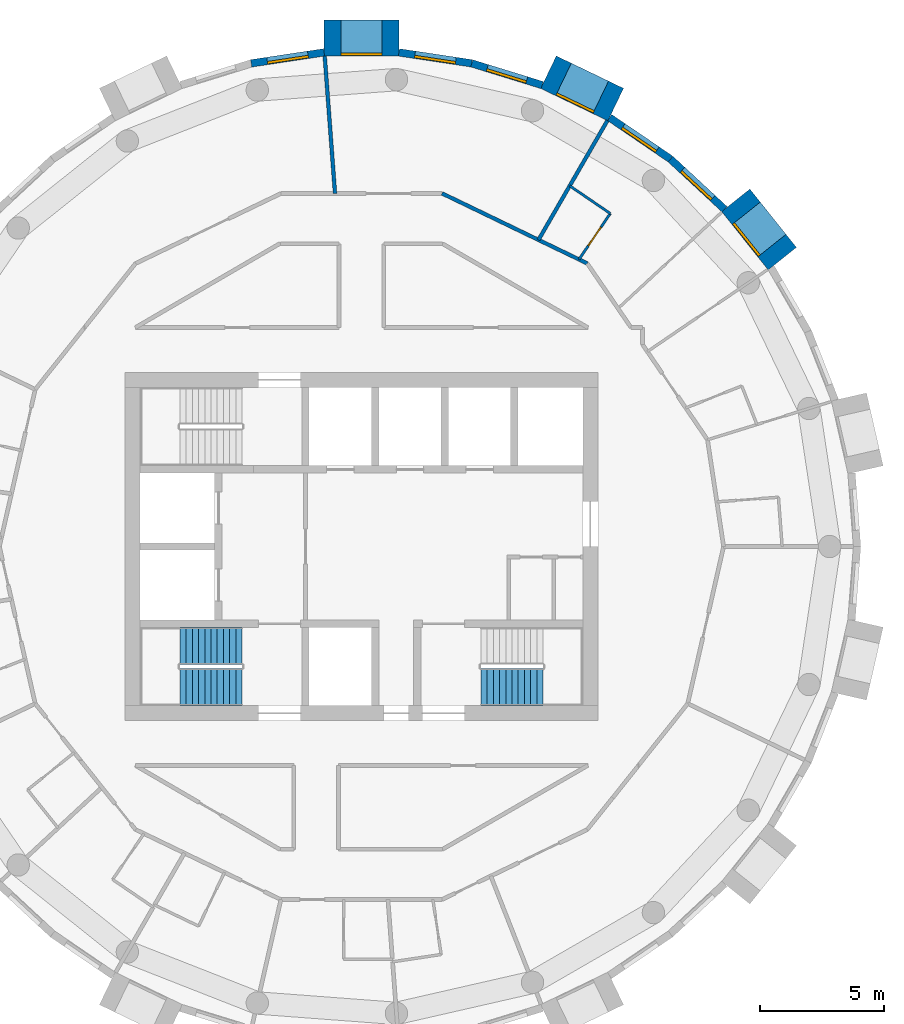
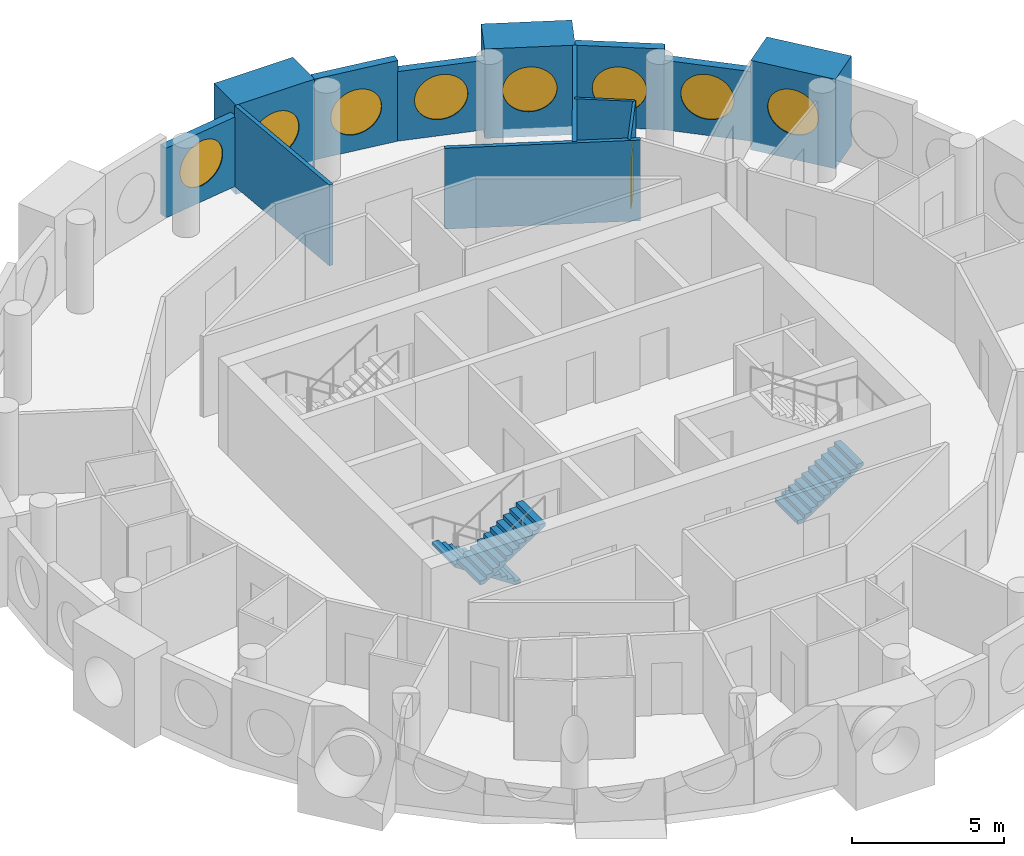
# One storey, part 10 of 12: 13 walls, 8 windows, 3 stair flights, 1 door, 9 openings, 2 elements without a shape of their own.
"""IFC4 building model written with IfcOpenShell, lengths in metres."""

from ifc_helpers import new_model, si_unit, direction, frame, frame_2d, origin, origin_2d, place, context, subcontext, project, spatial, polyline, rectangle, circle, outline, extrude, material, layer, layer_set, type_object, element, fill, aggregate, save


model = new_model("IFC4")

# Units and contexts
model_context = context("Model", 3, precision=1e-05, world=origin(), true_north=direction((0.0, 1.0)))
body_context = subcontext(model_context, "Body", "Model", "MODEL_VIEW")
ifc_project = project(units=[si_unit("LENGTHUNIT", "METRE"), si_unit("AREAUNIT", "SQUARE_METRE"), si_unit("VOLUMEUNIT", "CUBIC_METRE"), si_unit("PLANEANGLEUNIT", "RADIAN"), si_unit("MASSUNIT", "GRAM", prefix="KILO")], contexts=[model_context])

# Site, building, storey
site_placement = place(None, origin())
site = spatial("IfcSite", under=ifc_project, at=site_placement, CompositionType="ELEMENT")
building_placement = place(site_placement, origin())
building = spatial("IfcBuilding", under=site, at=building_placement, Name="Tracery Tower", CompositionType="ELEMENT")
storey_placement = place(building_placement, frame((0.0, 0.0, 287.39990234375)))
storey = spatial("IfcBuildingStorey", under=building, at=storey_placement, Name="L74", CompositionType="ELEMENT", Elevation=287.39990234375)

# Wall, opening, window
ifc_material_1 = material(Name="Precast concrete C50/60", Category="concrete")
ifc_layer_1 = layer(ifc_material_1, 1.449951171875)
ifc_layer_set_1 = layer_set([ifc_layer_1], Name="Deep-set bay unit 3000 x 3600, slab edge 350")
wall_type_1 = type_object("IfcWallType", Name="Deep-set bay unit 3000 x 3600, slab edge 350", PredefinedType="ELEMENTEDWALL", material=ifc_layer_set_1)
wall_1_placement = place(storey_placement, frame((16.916748046875, 11.572021484375, -0.349853515625), z_axis=(0.0, 0.0, 1.0), x_axis=(-0.623523286312, 0.781804778335, 0.0)))
wall_1 = element("IfcWall", 1, at=wall_1_placement, inside=storey, type_object=wall_type_1, Name="Deep-set bay unit 5 at L74", PredefinedType="ELEMENTEDWALL", context=body_context, shape_type="SweptSolid", body=[
    extrude(rectangle(XDim=3.0, YDim=1.449951171875, at=frame_2d((1.5, 0.0))), origin(), (0.0, 0.0, 1.0), 3.599853515625),
])
opening_1_placement = place(wall_1_placement, frame((1.5, 0.0, 1.89990234375)))
opening_1 = element("IfcOpeningElement", 2, at=opening_1_placement, cuts=wall_1, Name="Opening WN1", PredefinedType="OPENING", context=body_context, shape_type="SweptSolid", body=[
    extrude(circle(Radius=0.9000244140625, at=origin_2d()), frame((0.0, 0.73486328125, 0.0), z_axis=(0.0, -1.0, 0.0), x_axis=(1.0, 0.0, 0.0)), (0.0, 0.0, 1.0), 1.469970703125),
])
ifc_material_2 = material(Name="Aluminium frame with tinted double glazing", Category="aluminium")
window_type = type_object("IfcWindowType", Name="Round window 1800", PartitioningType="SINGLE_PANEL", PredefinedType="WINDOW", material=ifc_material_2)
window_1_placement = place(opening_1_placement, origin())
window_1 = element("IfcWindow", 3, at=window_1_placement, inside=storey, type_object=window_type, Name="Round window 5 at L74", OverallHeight=1.800048828125, OverallWidth=1.800048828125, PartitioningType="SINGLE_PANEL", PredefinedType="WINDOW", context=body_context, shape_type="SweptSolid", body=[
    extrude(circle(Radius=0.9000244140625, at=origin_2d()), frame((0.0, 0.69482421875, 0.0), z_axis=(0.0, -1.0, 0.0), x_axis=(1.0, 0.0, 0.0)), (0.0, 0.0, 1.0), 0.10009765625),
])
fill(opening_1, window_1)

wall_2_placement = place(storey_placement, frame((10.220458984375, 17.765869140625, -0.349853515625), z_axis=(0.0, 0.0, 1.0), x_axis=(-0.900953362039, 0.433915935904, 0.0)))
wall_2 = element("IfcWall", 4, at=wall_2_placement, inside=storey, type_object=wall_type_1, Name="Deep-set bay unit 8 at L74", PredefinedType="ELEMENTEDWALL", context=body_context, shape_type="SweptSolid", body=[
    extrude(rectangle(XDim=3.0, YDim=1.449951171875, at=frame_2d((1.5, 0.0))), origin(), (0.0, 0.0, 1.0), 3.599853515625),
])
opening_2_placement = place(wall_2_placement, frame((1.5, 0.0, 1.89990234375)))
opening_2 = element("IfcOpeningElement", 5, at=opening_2_placement, cuts=wall_2, Name="Opening WN1", PredefinedType="OPENING", context=body_context, shape_type="SweptSolid", body=[
    extrude(circle(Radius=0.9000244140625, at=origin_2d()), frame((0.0, 0.73486328125, 0.0), z_axis=(0.0, -1.0, 0.0), x_axis=(1.0, 0.0, 0.0)), (0.0, 0.0, 1.0), 1.469970703125),
])
window_2_placement = place(opening_2_placement, origin())
window_2 = element("IfcWindow", 6, at=window_2_placement, inside=storey, type_object=window_type, Name="Round window 8 at L74", OverallHeight=1.800048828125, OverallWidth=1.800048828125, PartitioningType="SINGLE_PANEL", PredefinedType="WINDOW", context=body_context, shape_type="SweptSolid", body=[
    extrude(circle(Radius=0.9000244140625, at=origin_2d()), frame((0.0, 0.69482421875, 0.0), z_axis=(0.0, -1.0, 0.0), x_axis=(1.0, 0.0, 0.0)), (0.0, 0.0, 1.0), 0.10009765625),
])
fill(opening_2, window_2)

wall_3_placement = place(storey_placement, frame((1.5, 20.441162109375, -0.349853515625), z_axis=(0.0, 0.0, 1.0), x_axis=(-1.0, 0.0, 0.0)))
wall_3 = element("IfcWall", 7, at=wall_3_placement, inside=storey, type_object=wall_type_1, Name="Deep-set bay unit 11 at L74", PredefinedType="ELEMENTEDWALL", context=body_context, shape_type="SweptSolid", body=[
    extrude(rectangle(XDim=3.0, YDim=1.449951171875, at=frame_2d((1.5, 0.0))), origin(), (0.0, 0.0, 1.0), 3.599853515625),
])
opening_3_placement = place(wall_3_placement, frame((1.5, 0.0, 1.89990234375)))
opening_3 = element("IfcOpeningElement", 8, at=opening_3_placement, cuts=wall_3, Name="Opening WN1", PredefinedType="OPENING", context=body_context, shape_type="SweptSolid", body=[
    extrude(circle(Radius=0.9000244140625, at=origin_2d()), frame((0.0, 0.73486328125, 0.0), z_axis=(0.0, -1.0, 0.0), x_axis=(1.0, 0.0, 0.0)), (0.0, 0.0, 1.0), 1.469970703125),
])
window_3_placement = place(opening_3_placement, origin())
window_3 = element("IfcWindow", 9, at=window_3_placement, inside=storey, type_object=window_type, Name="Round window 11 at L74", OverallHeight=1.800048828125, OverallWidth=1.800048828125, PartitioningType="SINGLE_PANEL", PredefinedType="WINDOW", context=body_context, shape_type="SweptSolid", body=[
    extrude(circle(Radius=0.9000244140625, at=origin_2d()), frame((0.0, 0.69482421875, 0.0), z_axis=(0.0, -1.0, 0.0), x_axis=(1.0, 0.0, 0.0)), (0.0, 0.0, 1.0), 0.10009765625),
])
fill(opening_3, window_3)

ifc_material_3 = material(Name="Precast concrete C50/60", Category="concrete")
ifc_layer_2 = layer(ifc_material_3, 0.300048828125)
ifc_layer_set_2 = layer_set([ifc_layer_2], Name="Facade panel 3000 x 2800")
wall_type_2 = type_object("IfcWallType", Name="Facade panel 3000 x 2800", PredefinedType="SOLIDWALL", material=ifc_layer_set_2)
wall_4_placement = place(storey_placement, frame((14.592529296875, 13.560546875, 0.0), z_axis=(0.0, 0.0, 1.0), x_axis=(-0.733028283666, 0.680198158882, 0.0)))
wall_4 = element("IfcWall", 10, at=wall_4_placement, inside=storey, type_object=wall_type_2, Name="Facade panel 6 at L74", PredefinedType="SOLIDWALL", context=body_context, shape_type="SweptSolid", body=[
    extrude(rectangle(XDim=2.962158203125, YDim=0.300048828125, at=frame_2d((1.48095703125, 0.0))), origin(), (0.0, 0.0, 1.0), 2.800048828125),
])
opening_4_placement = place(wall_4_placement, frame((1.48095703125, 0.0, 1.5498046875)))
opening_4 = element("IfcOpeningElement", 11, at=opening_4_placement, cuts=wall_4, Name="Opening WN1", PredefinedType="OPENING", context=body_context, shape_type="SweptSolid", body=[
    extrude(circle(Radius=0.9000244140625, at=origin_2d()), frame((0.0, 0.159912109375, 0.0), z_axis=(0.0, -1.0, 0.0), x_axis=(1.0, 0.0, 0.0)), (0.0, 0.0, 1.0), 0.320068359375),
])
window_4_placement = place(opening_4_placement, origin())
window_4 = element("IfcWindow", 12, at=window_4_placement, inside=storey, type_object=window_type, Name="Round window 6 at L74", OverallHeight=1.800048828125, OverallWidth=1.800048828125, PartitioningType="SINGLE_PANEL", PredefinedType="WINDOW", context=body_context, shape_type="SweptSolid", body=[
    extrude(circle(Radius=0.9000244140625, at=origin_2d()), frame((0.0, 0.1201171875, 0.0), z_axis=(0.0, -1.0, 0.0), x_axis=(1.0, 0.0, 0.0)), (0.0, 0.0, 1.0), 0.10009765625),
])
fill(opening_4, window_4)

wall_5_placement = place(storey_placement, frame((7.263671875, 18.549072265625, 0.0), z_axis=(0.0, 0.0, 1.0), x_axis=(-0.955555982805, 0.29480970765, 0.0)))
wall_5 = element("IfcWall", 13, at=wall_5_placement, inside=storey, type_object=wall_type_2, Name="Facade panel 9 at L74", PredefinedType="SOLIDWALL", context=body_context, shape_type="SweptSolid", body=[
    extrude(rectangle(XDim=2.962158203125, YDim=0.300048828125, at=frame_2d((1.48095703125, 0.0))), origin(), (0.0, 0.0, 1.0), 2.800048828125),
])
opening_5_placement = place(wall_5_placement, frame((1.48095703125, 0.0, 1.5498046875)))
opening_5 = element("IfcOpeningElement", 14, at=opening_5_placement, cuts=wall_5, Name="Opening WN1", PredefinedType="OPENING", context=body_context, shape_type="SweptSolid", body=[
    extrude(circle(Radius=0.9000244140625, at=origin_2d()), frame((0.0, 0.159912109375, 0.0), z_axis=(0.0, -1.0, 0.0), x_axis=(1.0, 0.0, 0.0)), (0.0, 0.0, 1.0), 0.320068359375),
])
window_5_placement = place(opening_5_placement, origin())
window_5 = element("IfcWindow", 15, at=window_5_placement, inside=storey, type_object=window_type, Name="Round window 9 at L74", OverallHeight=1.800048828125, OverallWidth=1.800048828125, PartitioningType="SINGLE_PANEL", PredefinedType="WINDOW", context=body_context, shape_type="SweptSolid", body=[
    extrude(circle(Radius=0.9000244140625, at=origin_2d()), frame((0.0, 0.1201171875, 0.0), z_axis=(0.0, -1.0, 0.0), x_axis=(1.0, 0.0, 0.0)), (0.0, 0.0, 1.0), 0.10009765625),
])
fill(opening_5, window_5)

wall_6_placement = place(storey_placement, frame((-1.50390625, 19.86376953125, 0.0), z_axis=(0.0, 0.0, 1.0), x_axis=(-0.988835775663, -0.149009425104, 0.0)))
wall_6 = element("IfcWall", 16, at=wall_6_placement, inside=storey, type_object=wall_type_2, Name="Facade panel 12 at L74", PredefinedType="SOLIDWALL", context=body_context, shape_type="SweptSolid", body=[
    extrude(rectangle(XDim=2.962158203125, YDim=0.300048828125, at=frame_2d((1.48095703125, 0.0))), origin(), (0.0, 0.0, 1.0), 2.800048828125),
])
opening_6_placement = place(wall_6_placement, frame((1.48095703125, 0.0, 1.5498046875)))
opening_6 = element("IfcOpeningElement", 17, at=opening_6_placement, cuts=wall_6, Name="Opening WN1", PredefinedType="OPENING", context=body_context, shape_type="SweptSolid", body=[
    extrude(circle(Radius=0.9000244140625, at=origin_2d()), frame((0.0, 0.159912109375, 0.0), z_axis=(0.0, -1.0, 0.0), x_axis=(1.0, 0.0, 0.0)), (0.0, 0.0, 1.0), 0.320068359375),
])
window_6_placement = place(opening_6_placement, origin())
window_6 = element("IfcWindow", 18, at=window_6_placement, inside=storey, type_object=window_type, Name="Round window 12 at L74", OverallHeight=1.800048828125, OverallWidth=1.800048828125, PartitioningType="SINGLE_PANEL", PredefinedType="WINDOW", context=body_context, shape_type="SweptSolid", body=[
    extrude(circle(Radius=0.9000244140625, at=origin_2d()), frame((0.0, 0.1201171875, 0.0), z_axis=(0.0, -1.0, 0.0), x_axis=(1.0, 0.0, 0.0)), (0.0, 0.0, 1.0), 0.10009765625),
])
fill(opening_6, window_6)

ifc_material_4 = material(Name="Precast concrete C50/60", Category="concrete")
ifc_layer_3 = layer(ifc_material_4, 0.300048828125)
ifc_layer_set_3 = layer_set([ifc_layer_3], Name="Facade panel 3000 x 3250")
wall_type_3 = type_object("IfcWallType", Name="Facade panel 3000 x 3250", PredefinedType="SOLIDWALL", material=ifc_layer_set_3)
wall_7_placement = place(storey_placement, frame((12.421142578125, 15.575439453125, 0.0), z_axis=(0.0, 0.0, 1.0), x_axis=(-0.826236061068, 0.563324037646, 0.0)))
wall_7 = element("IfcWall", 19, at=wall_7_placement, inside=storey, type_object=wall_type_3, Name="Facade panel 7 at L74", PredefinedType="SOLIDWALL", context=body_context, shape_type="SweptSolid", body=[
    extrude(rectangle(XDim=2.962158203125, YDim=0.300048828125, at=frame_2d((1.48095703125, 0.0))), origin(), (0.0, 0.0, 1.0), 3.25),
])
opening_7_placement = place(wall_7_placement, frame((1.48095703125, 0.0, 1.5498046875)))
opening_7 = element("IfcOpeningElement", 20, at=opening_7_placement, cuts=wall_7, Name="Opening WN1", PredefinedType="OPENING", context=body_context, shape_type="SweptSolid", body=[
    extrude(circle(Radius=0.9000244140625, at=origin_2d()), frame((0.0, 0.159912109375, 0.0), z_axis=(0.0, -1.0, 0.0), x_axis=(1.0, 0.0, 0.0)), (0.0, 0.0, 1.0), 0.320068359375),
])
window_7_placement = place(opening_7_placement, origin())
window_7 = element("IfcWindow", 21, at=window_7_placement, inside=storey, type_object=window_type, Name="Round window 7 at L74", OverallHeight=1.800048828125, OverallWidth=1.800048828125, PartitioningType="SINGLE_PANEL", PredefinedType="WINDOW", context=body_context, shape_type="SweptSolid", body=[
    extrude(circle(Radius=0.9000244140625, at=origin_2d()), frame((0.0, 0.1201171875, 0.0), z_axis=(0.0, -1.0, 0.0), x_axis=(1.0, 0.0, 0.0)), (0.0, 0.0, 1.0), 0.10009765625),
])
fill(opening_7, window_7)

wall_8_placement = place(storey_placement, frame((4.43310546875, 19.42236328125, 0.0), z_axis=(0.0, 0.0, 1.0), x_axis=(-0.988835775663, 0.149009425104, 0.0)))
wall_8 = element("IfcWall", 22, at=wall_8_placement, inside=storey, type_object=wall_type_3, Name="Facade panel 10 at L74", PredefinedType="SOLIDWALL", context=body_context, shape_type="SweptSolid", body=[
    extrude(rectangle(XDim=2.962158203125, YDim=0.300048828125, at=frame_2d((1.48095703125, 0.0))), origin(), (0.0, 0.0, 1.0), 3.25),
])
opening_8_placement = place(wall_8_placement, frame((1.48095703125, 0.0, 1.5498046875)))
opening_8 = element("IfcOpeningElement", 23, at=opening_8_placement, cuts=wall_8, Name="Opening WN1", PredefinedType="OPENING", context=body_context, shape_type="SweptSolid", body=[
    extrude(circle(Radius=0.9000244140625, at=origin_2d()), frame((0.0, 0.159912109375, 0.0), z_axis=(0.0, -1.0, 0.0), x_axis=(1.0, 0.0, 0.0)), (0.0, 0.0, 1.0), 0.320068359375),
])
window_8_placement = place(opening_8_placement, origin())
window_8 = element("IfcWindow", 24, at=window_8_placement, inside=storey, type_object=window_type, Name="Round window 10 at L74", OverallHeight=1.800048828125, OverallWidth=1.800048828125, PartitioningType="SINGLE_PANEL", PredefinedType="WINDOW", context=body_context, shape_type="SweptSolid", body=[
    extrude(circle(Radius=0.9000244140625, at=origin_2d()), frame((0.0, 0.1201171875, 0.0), z_axis=(0.0, -1.0, 0.0), x_axis=(1.0, 0.0, 0.0)), (0.0, 0.0, 1.0), 0.10009765625),
])
fill(opening_8, window_8)

# Wall, opening, door
ifc_material_5 = material(Name="Plasterboard on steel studs", Category="steel")
ifc_layer_4 = layer(ifc_material_5, 0.10009765625)
ifc_layer_set_4 = layer_set([ifc_layer_4], Name="Partition 100 wet wall")
wall_type_4 = type_object("IfcWallType", Name="Partition 100 wet wall", PredefinedType="PARTITIONING", material=ifc_layer_set_4)
wall_9_placement = place(storey_placement, frame((8.742919921875, 11.541015625, 0.0), z_axis=(0.0, 0.0, 1.0), x_axis=(0.563469042551, 0.826137178734, 0.0)))
wall_9 = element("IfcWall", 25, at=wall_9_placement, inside=storey, type_object=wall_type_4, Name="Wet wall RC6-055", PredefinedType="PARTITIONING", context=body_context, shape_type="SweptSolid", body=[
    extrude(rectangle(XDim=2.234375, YDim=0.10009765625, at=frame_2d((1.1171875, 0.0))), origin(), (0.0, 0.0, 1.0), 3.25),
])
opening_9_placement = place(wall_9_placement, frame((0.6669921875, 0.0, 0.0)))
opening_9 = element("IfcOpeningElement", 26, at=opening_9_placement, cuts=wall_9, Name="Opening RC6-11", PredefinedType="OPENING", context=body_context, shape_type="SweptSolid", body=[
    extrude(rectangle(XDim=0.89990234375, YDim=2.0400390625, at=frame_2d((0.449951171875, 1.02001953125))), frame((0.0, 0.050048828125, 0.0), z_axis=(0.0, -1.0, 0.0), x_axis=(1.0, 0.0, 0.0)), (0.0, 0.0, 1.0), 0.10009765625),
])
ifc_material_6 = material(Name="Timber door leaf", Category="wood")
door_type = type_object("IfcDoorType", Name="Door en-suite 900", OperationType="NOTDEFINED", PredefinedType="DOOR", material=ifc_material_6)
door_placement = place(opening_9_placement, origin())
door = element("IfcDoor", 27, at=door_placement, inside=storey, type_object=door_type, Name="En-suite door RC6-11", OperationType="SINGLE_SWING_LEFT", OverallHeight=2.0400390625, OverallWidth=0.89990234375, PredefinedType="DOOR", context=body_context, shape_type="SweptSolid", body=[
    extrude(rectangle(XDim=0.89990234375, YDim=2.0400390625, at=frame_2d((0.449951171875, 1.02001953125))), frame((0.0, 0.02490234375, 0.0), z_axis=(0.0, -1.0, 0.0), x_axis=(1.0, 0.0, 0.0)), (0.0, 0.0, 1.0), 0.050048828125),
])
fill(opening_9, door)

# Walls
wall_10_placement = place(storey_placement, frame((8.37109375, 14.4990234375, 0.0), z_axis=(0.0, 0.0, 1.0), x_axis=(0.82620117489, -0.563375202339, 0.0)))
element("IfcWall", 28, at=wall_10_placement, inside=storey, type_object=wall_type_4, Name="Wet wall RC6-056", PredefinedType="PARTITIONING", context=body_context, shape_type="SweptSolid", body=[
    extrude(rectangle(XDim=1.973876953125, YDim=0.10009765625, at=frame_2d((0.98681640625, 0.0))), origin(), (0.0, 0.0, 1.0), 3.25),
])
ifc_material_7 = material(Name="Plasterboard on steel studs", Category="steel")
ifc_layer_5 = layer(ifc_material_7, 0.14990234375)
ifc_layer_set_5 = layer_set([ifc_layer_5], Name="Partition 150 acoustic unit wall")
wall_type_5 = type_object("IfcWallType", Name="Partition 150 acoustic unit wall", PredefinedType="PARTITIONING", material=ifc_layer_set_5)
for number, where, z_axis, x_axis, name in (
    (29, (7.115478515625, 12.3251953125, 0.0), (0.0, 0.0, 1.0), (0.500139547481, 0.865944821017, 0.0), "Unit wall RC6-057"),
    (30, (-1.47802734375, 19.716064453125, 0.0), (0.0, 0.0, 1.0), (0.074745027699, -0.997202677912, 0.0), "Unit wall RC6-058"),
):
    element("IfcWall", number, at=place(storey_placement, frame(where, z_axis=z_axis, x_axis=x_axis)), inside=storey, type_object=wall_type_5, Name=name, PredefinedType="PARTITIONING", context=body_context, shape_type="SweptSolid", body=[
        extrude(rectangle(XDim=5.53955078125, YDim=0.14990234375, at=frame_2d((2.769775390625, 0.0))), origin(), (0.0, 0.0, 1.0), 3.25),
    ])
ifc_material_8 = material(Name="Plasterboard on steel studs", Category="steel")
ifc_layer_6 = layer(ifc_material_8, 0.14990234375)
ifc_layer_set_6 = layer_set([ifc_layer_6], Name="Partition 150 corridor wall")
wall_type_6 = type_object("IfcWallType", Name="Partition 150 corridor wall", PredefinedType="PARTITIONING", material=ifc_layer_set_6)
wall_11_placement = place(storey_placement, frame((3.240234375, 14.194580078125, 0.0), z_axis=(0.0, 0.0, 1.0), x_axis=(0.900778421649, -0.434278983018, 0.0)))
element("IfcWall", 31, at=wall_11_placement, inside=storey, type_object=wall_type_6, Name="Corridor wall RC6-030", PredefinedType="PARTITIONING", context=body_context, shape_type="SweptSolid", body=[
    extrude(rectangle(XDim=6.478515625, YDim=0.14990234375, at=frame_2d((3.2392578125, 0.0))), origin(), (0.0, 0.0, 1.0), 3.25),
])

# Stair, stair flights
ifc_material_9 = material(Name="Concrete C32/40", Category="concrete")
stair_type = type_object("IfcStairType", Name="Core stair 22 risers", PredefinedType="HALF_TURN_STAIR", material=ifc_material_9)
stair_1_placement = place(storey_placement, origin())
stair_1 = element("IfcStair", 32, at=stair_1_placement, inside=storey, type_object=stair_type, Name="L74 stair ST1", PredefinedType="HALF_TURN_STAIR")
ifc_material_10 = material(Name="Concrete C32/40", Category="concrete")
stair_flight_type = type_object("IfcStairFlightType", Name="Core stair flight 11 risers", PredefinedType="STRAIGHT", material=ifc_material_10)
stair_flight_1_placement = place(storey_placement, frame((-4.800048828125, -4.0, 0.0), z_axis=(0.0, 0.0, 1.0), x_axis=(-1.0, 0.0, 0.0)))
stair_flight_1 = element("IfcStairFlight", 33, at=stair_flight_1_placement, type_object=stair_flight_type, Name="ST1 flight 1", NumberOfRisers=11, NumberOfTreads=10, PredefinedType="STRAIGHT", RiserHeight=0.163636364, TreadLength=0.25, context=body_context, shape_type="SweptSolid", body=[
    extrude(outline(polyline([(0.0, 0.0), (0.0, 0.002685546875), (0.0, 0.00537109375), (0.0, 0.008056640625), (0.0, 0.0107421875), (0.0, 0.013427734375), (0.0, 0.01611328125), (0.0, 0.018798828125), (0.0, 0.021484375), (0.0, 0.024169921875), (0.0, 0.02685546875), (0.0, 0.029541015625), (0.0, 0.0322265625), (0.0, 0.034912109375), (0.0, 0.03759765625), (0.0, 0.040283203125), (0.0, 0.04296875), (0.0, 0.045654296875), (0.0, 0.04833984375), (0.0, 0.051025390625), (0.0, 0.0537109375), (0.0, 0.056396484375), (0.0, 0.05908203125), (0.0, 0.061767578125), (0.0, 0.064453125), (0.0, 0.067138671875), (0.0, 0.06982421875), (0.0, 0.072509765625), (0.0, 0.0751953125), (0.0, 0.077880859375), (0.0, 0.08056640625), (0.0, 0.083251953125), (0.0, 0.0859375), (0.0, 0.088623046875), (0.0, 0.09130859375), (0.0, 0.093994140625), (0.0, 0.0966796875), (0.0, 0.099365234375), (0.0, 0.10205078125), (0.0, 0.104736328125), (0.0, 0.107421875), (0.0, 0.10986328125), (0.0, 0.112548828125), (0.0, 0.115234375), (0.0, 0.117919921875), (0.0, 0.12060546875), (0.0, 0.123291015625), (0.0, 0.1259765625), (0.0, 0.128662109375), (0.0, 0.13134765625), (0.0, 0.134033203125), (0.0, 0.13671875), (0.0, 0.139404296875), (0.0, 0.14208984375), (0.0, 0.144775390625), (0.0, 0.1474609375), (0.0, 0.150146484375), (0.0, 0.15283203125), (0.0, 0.155517578125), (0.0, 0.158203125), (0.0, 0.160888671875), (0.0, 0.16357421875), (0.25, 0.16357421875), (0.25, 0.327392578125), (0.5, 0.327392578125), (0.5, 0.490966796875), (0.75, 0.490966796875), (0.75, 0.654541015625), (1.0, 0.654541015625), (1.0, 0.818115234375), (1.25, 0.818115234375), (1.25, 0.98193359375), (1.5, 0.98193359375), (1.5, 1.1455078125), (1.75, 1.1455078125), (1.75, 1.30908203125), (2.0, 1.30908203125), (2.0, 1.47265625), (2.25, 1.47265625), (2.25, 1.636474609375), (2.5, 1.636474609375), (2.5, 1.634521484375), (2.5, 1.63232421875), (2.5, 1.63037109375), (2.5, 1.62841796875), (2.5, 1.62646484375), (2.5, 1.62451171875), (2.5, 1.62255859375), (2.5, 1.62060546875), (2.5, 1.61865234375), (2.5, 1.61669921875), (2.5, 1.61474609375), (2.5, 1.61279296875), (2.5, 1.61083984375), (2.5, 1.60888671875), (2.5, 1.60693359375), (2.5, 1.60498046875), (2.5, 1.60302734375), (2.5, 1.60107421875), (2.5, 1.59912109375), (2.5, 1.59716796875), (2.5, 1.59521484375), (2.5, 1.59326171875), (2.5, 1.59130859375), (2.5, 1.58935546875), (2.5, 1.58740234375), (2.5, 1.58544921875), (2.5, 1.58349609375), (2.5, 1.58154296875), (2.5, 1.57958984375), (2.5, 1.57763671875), (2.5, 1.57568359375), (2.5, 1.573486328125), (2.5, 1.571533203125), (2.5, 1.569580078125), (2.5, 1.567626953125), (2.5, 1.565673828125), (2.5, 1.563720703125), (2.5, 1.561767578125), (2.5, 1.559814453125), (2.5, 1.557861328125), (2.5, 1.555908203125), (2.5, 1.553955078125), (2.5, 1.552001953125), (2.5, 1.550048828125), (2.5, 1.548095703125), (2.5, 1.546142578125), (2.5, 1.544189453125), (2.5, 1.542236328125), (2.5, 1.540283203125), (2.5, 1.538330078125), (2.5, 1.536376953125), (2.5, 1.534423828125), (2.5, 1.532470703125), (2.5, 1.530517578125), (2.5, 1.528564453125), (2.5, 1.526611328125), (2.5, 1.524658203125), (2.5, 1.522705078125), (2.5, 1.520751953125), (2.5, 1.518798828125), (2.5, 1.516845703125), (0.182861328125, 0.0), (0.0, 0.0)])), frame((0.0, 0.75, 0.0), z_axis=(0.0, -1.0, 0.0), x_axis=(1.0, 0.0, 0.0)), (0.0, 0.0, 1.0), 1.5),
])
stair_flight_2_placement = place(storey_placement, frame((-7.300048828125, -5.64990234375, 1.800048828125), z_axis=(0.0, 0.0, 1.0), x_axis=(1.0, 0.0, 0.0)))
stair_flight_2 = element("IfcStairFlight", 34, at=stair_flight_2_placement, type_object=stair_flight_type, Name="ST1 flight 2", NumberOfRisers=11, NumberOfTreads=10, PredefinedType="STRAIGHT", RiserHeight=0.163636364, TreadLength=0.25, context=body_context, shape_type="SweptSolid", body=[
    extrude(outline(polyline([(0.0, 0.0), (0.0, 0.002685546875), (0.0, 0.00537109375), (0.0, 0.008056640625), (0.0, 0.0107421875), (0.0, 0.013427734375), (0.0, 0.01611328125), (0.0, 0.018798828125), (0.0, 0.021484375), (0.0, 0.024169921875), (0.0, 0.02685546875), (0.0, 0.029541015625), (0.0, 0.0322265625), (0.0, 0.034912109375), (0.0, 0.03759765625), (0.0, 0.040283203125), (0.0, 0.04296875), (0.0, 0.045654296875), (0.0, 0.04833984375), (0.0, 0.051025390625), (0.0, 0.0537109375), (0.0, 0.056396484375), (0.0, 0.05908203125), (0.0, 0.061767578125), (0.0, 0.064453125), (0.0, 0.067138671875), (0.0, 0.06982421875), (0.0, 0.072509765625), (0.0, 0.0751953125), (0.0, 0.077880859375), (0.0, 0.08056640625), (0.0, 0.083251953125), (0.0, 0.0859375), (0.0, 0.088623046875), (0.0, 0.09130859375), (0.0, 0.093994140625), (0.0, 0.0966796875), (0.0, 0.099365234375), (0.0, 0.10205078125), (0.0, 0.104736328125), (0.0, 0.107421875), (0.0, 0.10986328125), (0.0, 0.112548828125), (0.0, 0.115234375), (0.0, 0.117919921875), (0.0, 0.12060546875), (0.0, 0.123291015625), (0.0, 0.1259765625), (0.0, 0.128662109375), (0.0, 0.13134765625), (0.0, 0.134033203125), (0.0, 0.13671875), (0.0, 0.139404296875), (0.0, 0.14208984375), (0.0, 0.144775390625), (0.0, 0.1474609375), (0.0, 0.150146484375), (0.0, 0.15283203125), (0.0, 0.155517578125), (0.0, 0.158203125), (0.0, 0.160888671875), (0.0, 0.16357421875), (0.25, 0.16357421875), (0.25, 0.327392578125), (0.5, 0.327392578125), (0.5, 0.490966796875), (0.75, 0.490966796875), (0.75, 0.654541015625), (1.0, 0.654541015625), (1.0, 0.818115234375), (1.25, 0.818115234375), (1.25, 0.98193359375), (1.5, 0.98193359375), (1.5, 1.1455078125), (1.75, 1.1455078125), (1.75, 1.30908203125), (2.0, 1.30908203125), (2.0, 1.47265625), (2.25, 1.47265625), (2.25, 1.636474609375), (2.5, 1.636474609375), (2.5, 1.634521484375), (2.5, 1.63232421875), (2.5, 1.63037109375), (2.5, 1.62841796875), (2.5, 1.62646484375), (2.5, 1.62451171875), (2.5, 1.62255859375), (2.5, 1.62060546875), (2.5, 1.61865234375), (2.5, 1.61669921875), (2.5, 1.61474609375), (2.5, 1.61279296875), (2.5, 1.61083984375), (2.5, 1.60888671875), (2.5, 1.60693359375), (2.5, 1.60498046875), (2.5, 1.60302734375), (2.5, 1.60107421875), (2.5, 1.59912109375), (2.5, 1.59716796875), (2.5, 1.59521484375), (2.5, 1.59326171875), (2.5, 1.59130859375), (2.5, 1.58935546875), (2.5, 1.58740234375), (2.5, 1.58544921875), (2.5, 1.58349609375), (2.5, 1.58154296875), (2.5, 1.57958984375), (2.5, 1.57763671875), (2.5, 1.57568359375), (2.5, 1.573486328125), (2.5, 1.571533203125), (2.5, 1.569580078125), (2.5, 1.567626953125), (2.5, 1.565673828125), (2.5, 1.563720703125), (2.5, 1.561767578125), (2.5, 1.559814453125), (2.5, 1.557861328125), (2.5, 1.555908203125), (2.5, 1.553955078125), (2.5, 1.552001953125), (2.5, 1.550048828125), (2.5, 1.548095703125), (2.5, 1.546142578125), (2.5, 1.544189453125), (2.5, 1.542236328125), (2.5, 1.540283203125), (2.5, 1.538330078125), (2.5, 1.536376953125), (2.5, 1.534423828125), (2.5, 1.532470703125), (2.5, 1.530517578125), (2.5, 1.528564453125), (2.5, 1.526611328125), (2.5, 1.524658203125), (2.5, 1.522705078125), (2.5, 1.520751953125), (2.5, 1.518798828125), (2.5, 1.516845703125), (0.182861328125, 0.0), (0.0, 0.0)])), frame((0.0, 0.75, 0.0), z_axis=(0.0, -1.0, 0.0), x_axis=(1.0, 0.0, 0.0)), (0.0, 0.0, 1.0), 1.5),
])
aggregate(stair_1, [stair_flight_1, stair_flight_2])

# Stair, stair flight
stair_2_placement = place(storey_placement, origin())
stair_2 = element("IfcStair", 35, at=stair_2_placement, inside=storey, type_object=stair_type, Name="L74 stair ST2", PredefinedType="HALF_TURN_STAIR")
stair_flight_3_placement = place(storey_placement, frame((4.800048828125, -5.64990234375, 0.0), z_axis=(0.0, 0.0, 1.0), x_axis=(1.0, 0.0, 0.0)))
stair_flight_3 = element("IfcStairFlight", 36, at=stair_flight_3_placement, type_object=stair_flight_type, Name="ST2 flight 1", NumberOfRisers=11, NumberOfTreads=10, PredefinedType="STRAIGHT", RiserHeight=0.163636364, TreadLength=0.25, context=body_context, shape_type="SweptSolid", body=[
    extrude(outline(polyline([(0.0, 0.0), (0.0, 0.002685546875), (0.0, 0.00537109375), (0.0, 0.008056640625), (0.0, 0.0107421875), (0.0, 0.013427734375), (0.0, 0.01611328125), (0.0, 0.018798828125), (0.0, 0.021484375), (0.0, 0.024169921875), (0.0, 0.02685546875), (0.0, 0.029541015625), (0.0, 0.0322265625), (0.0, 0.034912109375), (0.0, 0.03759765625), (0.0, 0.040283203125), (0.0, 0.04296875), (0.0, 0.045654296875), (0.0, 0.04833984375), (0.0, 0.051025390625), (0.0, 0.0537109375), (0.0, 0.056396484375), (0.0, 0.05908203125), (0.0, 0.061767578125), (0.0, 0.064453125), (0.0, 0.067138671875), (0.0, 0.06982421875), (0.0, 0.072509765625), (0.0, 0.0751953125), (0.0, 0.077880859375), (0.0, 0.08056640625), (0.0, 0.083251953125), (0.0, 0.0859375), (0.0, 0.088623046875), (0.0, 0.09130859375), (0.0, 0.093994140625), (0.0, 0.0966796875), (0.0, 0.099365234375), (0.0, 0.10205078125), (0.0, 0.104736328125), (0.0, 0.107421875), (0.0, 0.10986328125), (0.0, 0.112548828125), (0.0, 0.115234375), (0.0, 0.117919921875), (0.0, 0.12060546875), (0.0, 0.123291015625), (0.0, 0.1259765625), (0.0, 0.128662109375), (0.0, 0.13134765625), (0.0, 0.134033203125), (0.0, 0.13671875), (0.0, 0.139404296875), (0.0, 0.14208984375), (0.0, 0.144775390625), (0.0, 0.1474609375), (0.0, 0.150146484375), (0.0, 0.15283203125), (0.0, 0.155517578125), (0.0, 0.158203125), (0.0, 0.160888671875), (0.0, 0.16357421875), (0.25, 0.16357421875), (0.25, 0.327392578125), (0.5, 0.327392578125), (0.5, 0.490966796875), (0.75, 0.490966796875), (0.75, 0.654541015625), (1.0, 0.654541015625), (1.0, 0.818115234375), (1.25, 0.818115234375), (1.25, 0.98193359375), (1.5, 0.98193359375), (1.5, 1.1455078125), (1.75, 1.1455078125), (1.75, 1.30908203125), (2.0, 1.30908203125), (2.0, 1.47265625), (2.25, 1.47265625), (2.25, 1.636474609375), (2.5, 1.636474609375), (2.5, 1.634521484375), (2.5, 1.63232421875), (2.5, 1.63037109375), (2.5, 1.62841796875), (2.5, 1.62646484375), (2.5, 1.62451171875), (2.5, 1.62255859375), (2.5, 1.62060546875), (2.5, 1.61865234375), (2.5, 1.61669921875), (2.5, 1.61474609375), (2.5, 1.61279296875), (2.5, 1.61083984375), (2.5, 1.60888671875), (2.5, 1.60693359375), (2.5, 1.60498046875), (2.5, 1.60302734375), (2.5, 1.60107421875), (2.5, 1.59912109375), (2.5, 1.59716796875), (2.5, 1.59521484375), (2.5, 1.59326171875), (2.5, 1.59130859375), (2.5, 1.58935546875), (2.5, 1.58740234375), (2.5, 1.58544921875), (2.5, 1.58349609375), (2.5, 1.58154296875), (2.5, 1.57958984375), (2.5, 1.57763671875), (2.5, 1.57568359375), (2.5, 1.573486328125), (2.5, 1.571533203125), (2.5, 1.569580078125), (2.5, 1.567626953125), (2.5, 1.565673828125), (2.5, 1.563720703125), (2.5, 1.561767578125), (2.5, 1.559814453125), (2.5, 1.557861328125), (2.5, 1.555908203125), (2.5, 1.553955078125), (2.5, 1.552001953125), (2.5, 1.550048828125), (2.5, 1.548095703125), (2.5, 1.546142578125), (2.5, 1.544189453125), (2.5, 1.542236328125), (2.5, 1.540283203125), (2.5, 1.538330078125), (2.5, 1.536376953125), (2.5, 1.534423828125), (2.5, 1.532470703125), (2.5, 1.530517578125), (2.5, 1.528564453125), (2.5, 1.526611328125), (2.5, 1.524658203125), (2.5, 1.522705078125), (2.5, 1.520751953125), (2.5, 1.518798828125), (2.5, 1.516845703125), (0.182861328125, 0.0), (0.0, 0.0)])), frame((0.0, 0.75, 0.0), z_axis=(0.0, -1.0, 0.0), x_axis=(1.0, 0.0, 0.0)), (0.0, 0.0, 1.0), 1.5),
])
aggregate(stair_2, [stair_flight_3])

save(model, "model.ifc")
